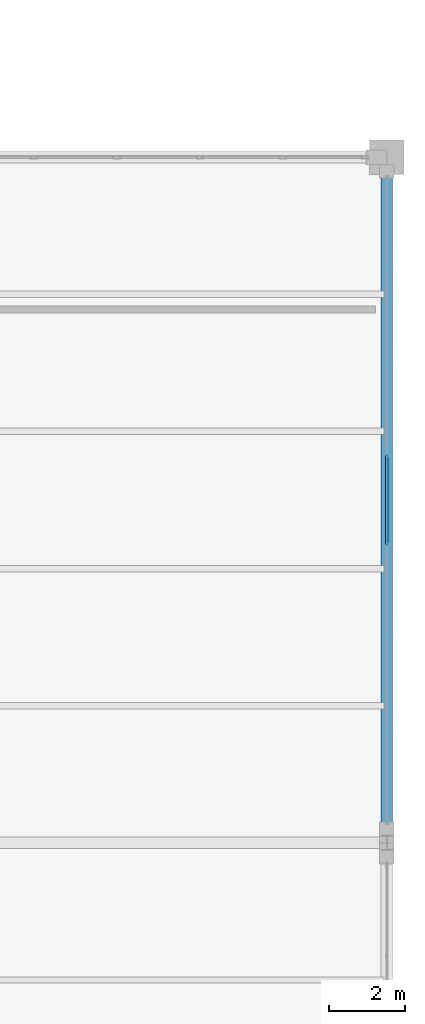
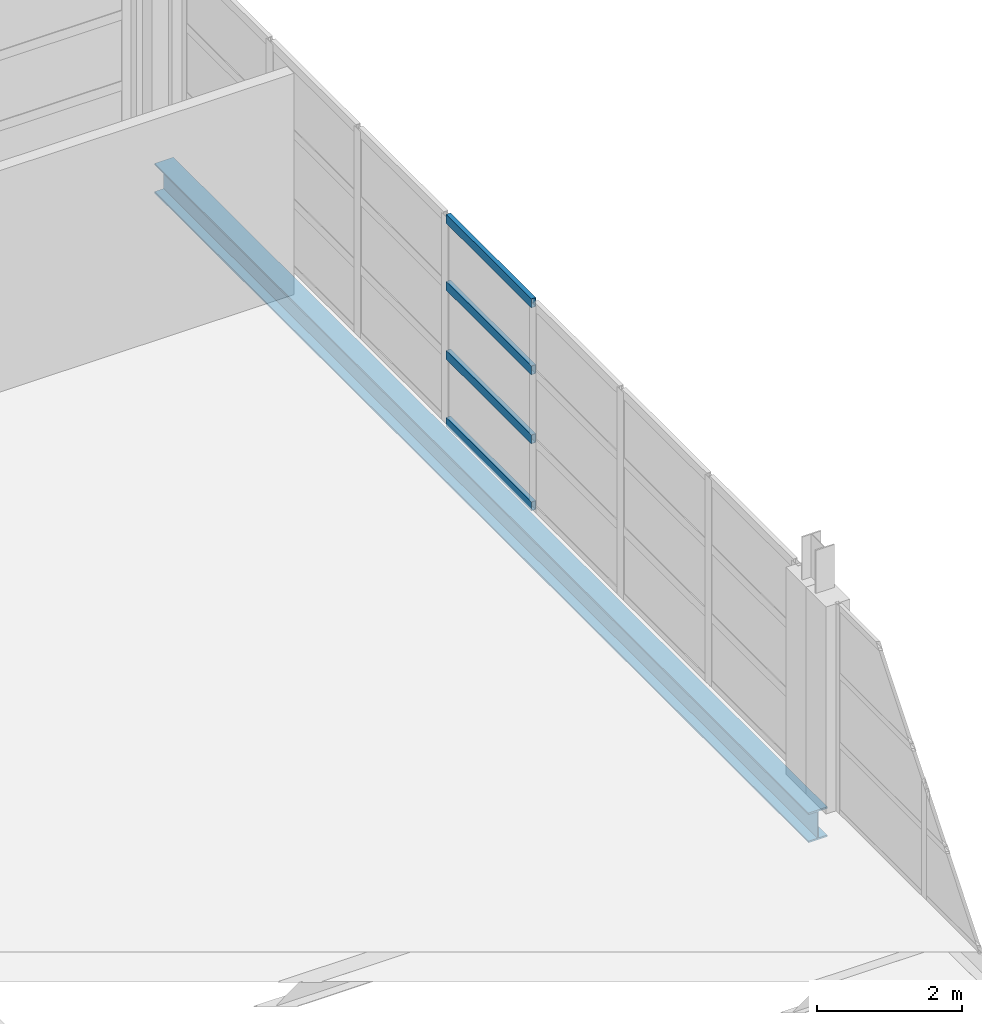
# One storey, part 92 of 158: 4 members, 1 beam, 1 element without a shape of its own.
"""IFC4 building model written with IfcOpenShell, lengths in metres."""

from ifc_helpers import new_model, si_unit, direction, frame, origin, origin_2d, place, context, subcontext, project, spatial, hollow_rectangle, i_section, extrude, material, layer, layer_set, material_profile, profile_set, type_object, element, aggregate, save


model = new_model("IFC4")

# Units and contexts
model_context = context("Model", 3, precision=1e-05, world=origin(), true_north=direction((0.0, 1.0)))
body_context = subcontext(model_context, "Body", "Model", "MODEL_VIEW")
ifc_project = project(units=[si_unit("LENGTHUNIT", "METRE"), si_unit("AREAUNIT", "SQUARE_METRE"), si_unit("VOLUMEUNIT", "CUBIC_METRE"), si_unit("PLANEANGLEUNIT", "RADIAN"), si_unit("MASSUNIT", "GRAM", prefix="KILO")], contexts=[model_context])

# Site, building, storey
site_placement = place(None, origin())
site = spatial("IfcSite", under=ifc_project, at=site_placement, CompositionType="ELEMENT")
building_placement = place(site_placement, origin())
building = spatial("IfcBuilding", under=site, at=building_placement, Name="Zilviju Railside Exhibition Hall", CompositionType="ELEMENT")
storey_placement = place(building_placement, frame((0.0, 0.0, 4.199951171875)))
storey = spatial("IfcBuildingStorey", under=building, at=storey_placement, Name="L02", CompositionType="ELEMENT", Elevation=4.199951171875)

# Beam
ifc_material_1 = material(Name="Steel S355J2", Category="steel")
ifc_material_profile_1 = material_profile(ifc_material_1, i_section(OverallWidth=0.300048828125, OverallDepth=0.5, WebThickness=0.014404296875, FlangeThickness=0.028076171875, at=origin_2d()), Name="HEB 500")
ifc_profile_set_1 = profile_set([ifc_material_profile_1], Name="Steel S355J2")
beam_type = type_object("IfcBeamType", Name="BM-HEB500", PredefinedType="BEAM", material=ifc_profile_set_1)
beam_placement = place(storey_placement, frame((216.0, 36.0, -0.579833984375), z_axis=(0.0, 1.0, 0.0), x_axis=(-1.0, 0.0, 0.0)))
element("IfcBeam", 1, at=beam_placement, inside=storey, type_object=beam_type, Name="Transverse Girder L02 X=216.0 (36.0..54.0)", PredefinedType="BEAM", context=body_context, shape_type="SweptSolid", body=[
    extrude(i_section(OverallWidth=0.300048828125, OverallDepth=0.5, WebThickness=0.014404296875, FlangeThickness=0.028076171875, at=origin_2d()), origin(), (0.0, 0.0, 1.0), 18.0),
])

# Curtain wall, members
ifc_material_2 = material(Name="Thermally broken aluminium-steel triple-glazed curtain wall", Category="steel")
ifc_layer = layer(ifc_material_2, 0.179931640625)
ifc_layer_set = layer_set([ifc_layer], Name="Thermally broken aluminium-steel triple-glazed curtain wall")
curtain_wall_type = type_object("IfcCurtainWallType", Name="CW-BAY-11", PredefinedType="USERDEFINED", material=ifc_layer_set)
curtain_wall_placement = place(storey_placement, origin())
curtain_wall = element("IfcCurtainWall", 2, at=curtain_wall_placement, inside=storey, type_object=curtain_wall_type, Name="South Hall East Glazed Gable L02 (36..54)", ObjectType="GLAZED CURTAIN WALL", PredefinedType="USERDEFINED")
ifc_material_3 = material(Name="Thermally broken anodized aluminium transom", Category="aluminium")
ifc_material_profile_2 = material_profile(ifc_material_3, hollow_rectangle(XDim=0.070068359375, YDim=0.14990234375, WallThickness=0.0048828125, at=origin_2d()), Name="TRANSOM 150x70x5")
ifc_profile_set_2 = profile_set([ifc_material_profile_2], Name="Thermally broken anodized aluminium transom")
member_type = type_object("IfcMemberType", Name="CWT-70x150", PredefinedType="USERDEFINED", material=ifc_profile_set_2)
member_1_placement = place(storey_placement, frame((216.0, 46.172119140625, 0.03515625), z_axis=(0.0, -1.0, 0.0), x_axis=(1.0, 0.0, 0.0)))
member_1 = element("IfcMember", 3, at=member_1_placement, type_object=member_type, Name="CW-11 transom 4.1", ObjectType="TRANSOM", PredefinedType="USERDEFINED", context=body_context, shape_type="SweptSolid", body=[
    extrude(hollow_rectangle(XDim=0.070068359375, YDim=0.14990234375, WallThickness=0.0048828125, at=origin_2d()), origin(), (0.0, 0.0, 1.0), 2.34423828125),
])
member_2_placement = place(storey_placement, frame((216.0, 46.172119140625, 1.16015625), z_axis=(0.0, -1.0, 0.0), x_axis=(1.0, 0.0, 0.0)))
member_2 = element("IfcMember", 4, at=member_2_placement, type_object=member_type, Name="CW-11 transom 4.2", ObjectType="TRANSOM", PredefinedType="USERDEFINED", context=body_context, shape_type="SweptSolid", body=[
    extrude(hollow_rectangle(XDim=0.070068359375, YDim=0.14990234375, WallThickness=0.0048828125, at=origin_2d()), origin(), (0.0, 0.0, 1.0), 2.34423828125),
])
member_3_placement = place(storey_placement, frame((216.0, 46.172119140625, 2.320068359375), z_axis=(0.0, -1.0, 0.0), x_axis=(1.0, 0.0, 0.0)))
member_3 = element("IfcMember", 5, at=member_3_placement, type_object=member_type, Name="CW-11 transom 4.3", ObjectType="TRANSOM", PredefinedType="USERDEFINED", context=body_context, shape_type="SweptSolid", body=[
    extrude(hollow_rectangle(XDim=0.070068359375, YDim=0.14990234375, WallThickness=0.0048828125, at=origin_2d()), origin(), (0.0, 0.0, 1.0), 2.34423828125),
])
member_4_placement = place(storey_placement, frame((216.0, 46.172119140625, 3.445068359375), z_axis=(0.0, -1.0, 0.0), x_axis=(1.0, 0.0, 0.0)))
member_4 = element("IfcMember", 6, at=member_4_placement, type_object=member_type, Name="CW-11 transom 4.4", ObjectType="TRANSOM", PredefinedType="USERDEFINED", context=body_context, shape_type="SweptSolid", body=[
    extrude(hollow_rectangle(XDim=0.070068359375, YDim=0.14990234375, WallThickness=0.0048828125, at=origin_2d()), origin(), (0.0, 0.0, 1.0), 2.34423828125),
])
aggregate(curtain_wall, [member_1, member_2, member_3, member_4])

save(model, "model.ifc")
